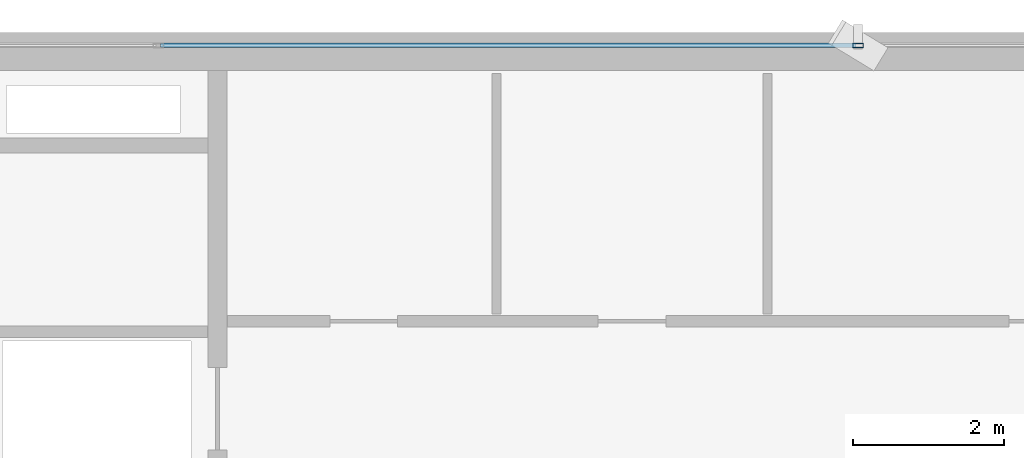
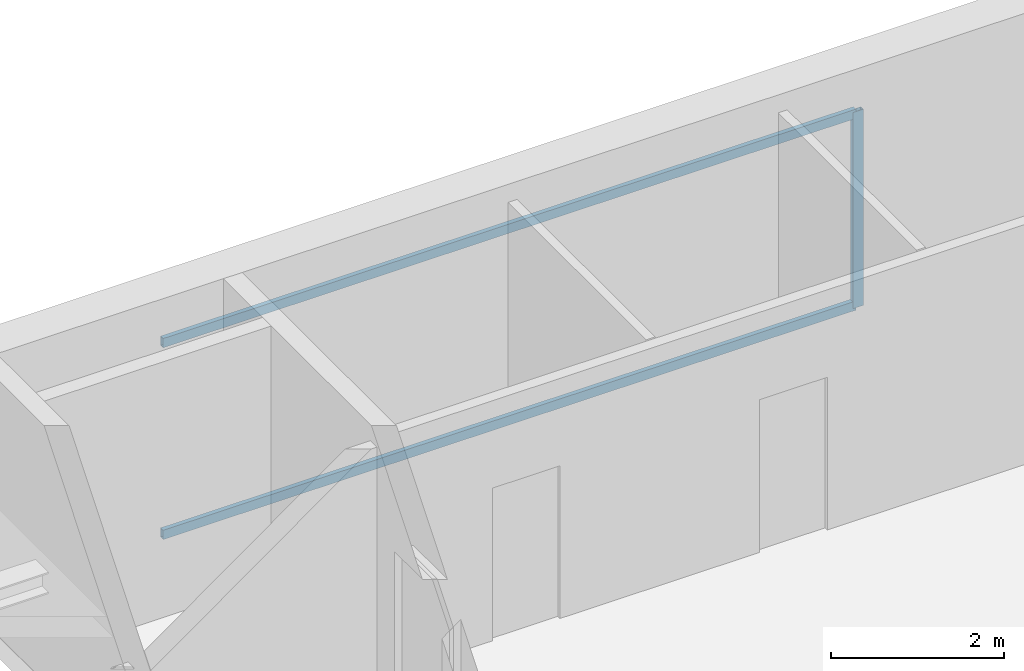
# One storey, part 20 of 30: 3 members, 1 element without a shape of its own.
"""IFC4 building model written with IfcOpenShell, lengths in metres."""

from ifc_helpers import new_model, si_unit, direction, frame, origin, origin_2d, place, context, subcontext, project, spatial, hollow_rectangle, extrude, source, transform, mapped, material, layer, layer_set, material_profile, profile_set, type_object, element, aggregate, save


model = new_model("IFC4")

# Units and contexts
model_context = context("Model", 3, precision=1e-05, world=origin(), true_north=direction((0.0, 1.0)))
body_context = subcontext(model_context, "Body", "Model", "MODEL_VIEW")
ifc_project = project(units=[si_unit("LENGTHUNIT", "METRE"), si_unit("AREAUNIT", "SQUARE_METRE"), si_unit("VOLUMEUNIT", "CUBIC_METRE"), si_unit("PLANEANGLEUNIT", "RADIAN"), si_unit("MASSUNIT", "GRAM", prefix="KILO")], contexts=[model_context])

# Site, building, storey
site_placement = place(None, origin())
site = spatial("IfcSite", under=ifc_project, at=site_placement, CompositionType="ELEMENT")
building_placement = place(site_placement, origin())
building = spatial("IfcBuilding", under=site, at=building_placement, Name="Sumidabori Civic Tower", CompositionType="ELEMENT")
storey_placement = place(building_placement, frame((0.0, 0.0, 196.39990234375)))
storey = spatial("IfcBuildingStorey", under=building, at=storey_placement, Name="L50", CompositionType="ELEMENT", Elevation=196.39990234375)

# Curtain wall, members
ifc_material = material(Name="Anodised Bronze Aluminium AW-6063-T6", Category="aluminium")
ifc_layer = layer(ifc_material, 0.179931640625, Name="Anodised Bronze Aluminium AW-6063-T6")
ifc_layer_set = layer_set([ifc_layer], Name="Anodised Bronze Aluminium AW-6063-T6")
curtain_wall_type = type_object("IfcCurtainWallType", Name="CW-SYS-5", PredefinedType="NOTDEFINED", material=ifc_layer_set)
curtain_wall_placement = place(storey_placement, origin())
curtain_wall = element("IfcCurtainWall", 1, at=curtain_wall_placement, inside=storey, type_object=curtain_wall_type, Name="Curtain Wall CW:L50:R13", PredefinedType="NOTDEFINED")
ifc_material_profile_1 = material_profile(ifc_material, hollow_rectangle(XDim=0.06005859375, YDim=0.139892578125, WallThickness=0.0048828125, at=origin_2d()), Name="ALU MULLION 140x60")
ifc_profile_set_1 = profile_set([ifc_material_profile_1], Name="Anodised Bronze Aluminium AW-6063-T6")
member_type_1 = type_object("IfcMemberType", Name="CW-MUL-140", PredefinedType="MULLION", material=ifc_profile_set_1)
shared_shape_1 = source(origin(), body_context, "Body", "SweptSolid", [
    extrude(hollow_rectangle(XDim=0.06005859375, YDim=0.139892578125, WallThickness=0.0048828125, at=origin_2d()), origin(), (0.0, 0.0, 1.0), 2.760009765625),
])
member_1_placement = place(storey_placement, frame((0.0, 23.8798828125, 0.0), z_axis=(0.0, 0.0, 1.0), x_axis=(0.0, -1.0, 0.0)))
member_1 = element("IfcMember", 2, at=member_1_placement, type_object=member_type_1, Name="CW-5 mullion 3", PredefinedType="MULLION", context=body_context, shape_type="MappedRepresentation", body=[
    mapped(shared_shape_1, transform((0.0, 0.0, 0.0), x_axis=(1.0, 0.0, 0.0), y_axis=(0.0, 1.0, 0.0), z_axis=(0.0, 0.0, 1.0), scale=1.0)),
])
ifc_material_profile_2 = material_profile(ifc_material, hollow_rectangle(XDim=0.06005859375, YDim=0.1298828125, WallThickness=0.0048828125, at=origin_2d()), Name="ALU TRANSOM 130x60")
ifc_profile_set_2 = profile_set([ifc_material_profile_2], Name="Anodised Bronze Aluminium AW-6063-T6")
member_type_2 = type_object("IfcMemberType", Name="CW-TRN-130", PredefinedType="USERDEFINED", material=ifc_profile_set_2)
shared_shape_2 = source(origin(), body_context, "Body", "SweptSolid", [
    extrude(hollow_rectangle(XDim=0.06005859375, YDim=0.1298828125, WallThickness=0.0048828125, at=origin_2d()), origin(), (0.0, 0.0, 1.0), 9.224853515625),
])
member_2_placement = place(storey_placement, frame((-0.030029296875, 23.8798828125, 0.030029296875), z_axis=(-1.0, 0.0, 0.0), x_axis=(0.0, -1.0, 0.0)))
member_2 = element("IfcMember", 3, at=member_2_placement, type_object=member_type_2, Name="CW-5 transom 3.1", ObjectType="TRANSOM", PredefinedType="USERDEFINED", context=body_context, shape_type="MappedRepresentation", body=[
    mapped(shared_shape_2, transform((0.0, 0.0, 0.0), x_axis=(1.0, 0.0, 0.0), y_axis=(0.0, 1.0, 0.0), z_axis=(0.0, 0.0, 1.0), scale=1.0)),
])
member_3_placement = place(storey_placement, frame((-0.030029296875, 23.8798828125, 2.72998046875), z_axis=(-1.0, 0.0, 0.0), x_axis=(0.0, -1.0, 0.0)))
member_3 = element("IfcMember", 4, at=member_3_placement, type_object=member_type_2, Name="CW-5 transom 3.2", ObjectType="TRANSOM", PredefinedType="USERDEFINED", context=body_context, shape_type="MappedRepresentation", body=[
    mapped(shared_shape_2, transform((0.0, 0.0, 0.0), x_axis=(1.0, 0.0, 0.0), y_axis=(0.0, 1.0, 0.0), z_axis=(0.0, 0.0, 1.0), scale=1.0)),
])
aggregate(curtain_wall, [member_1, member_2, member_3])

save(model, "model.ifc")
